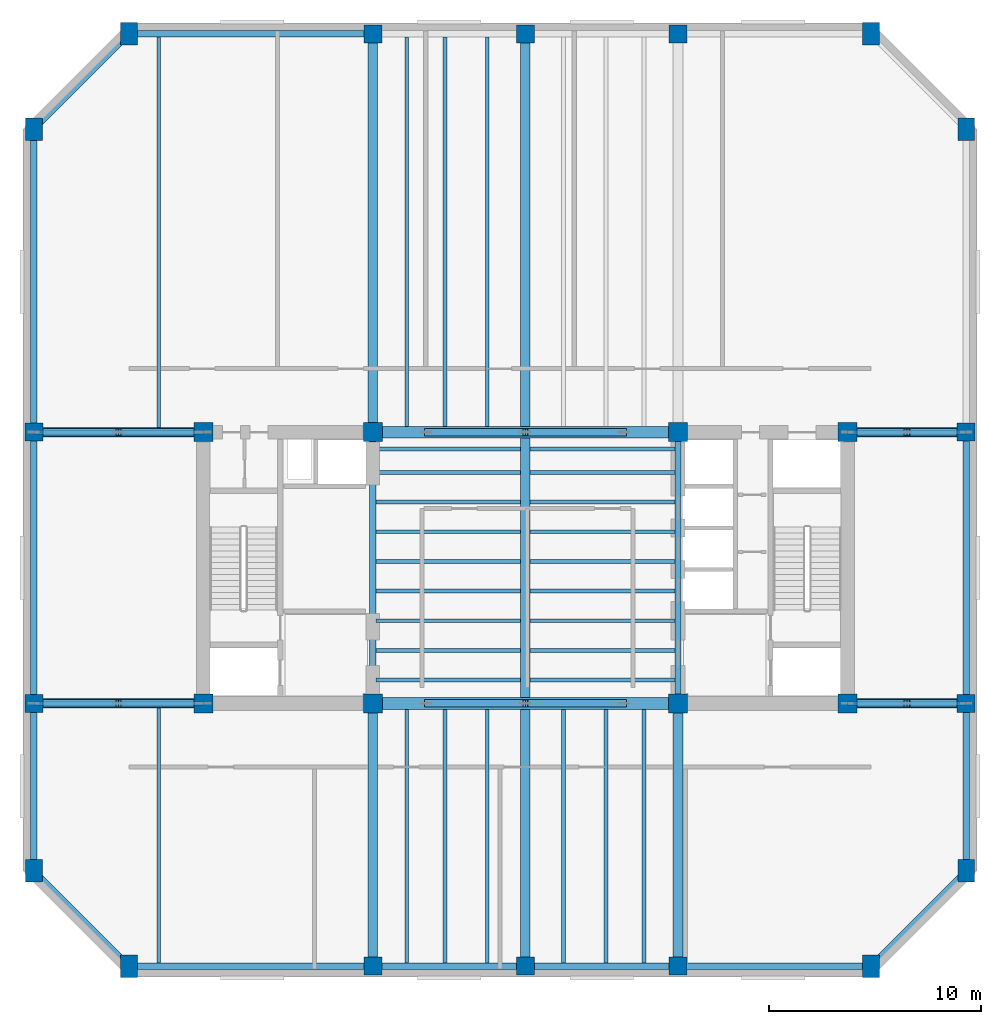
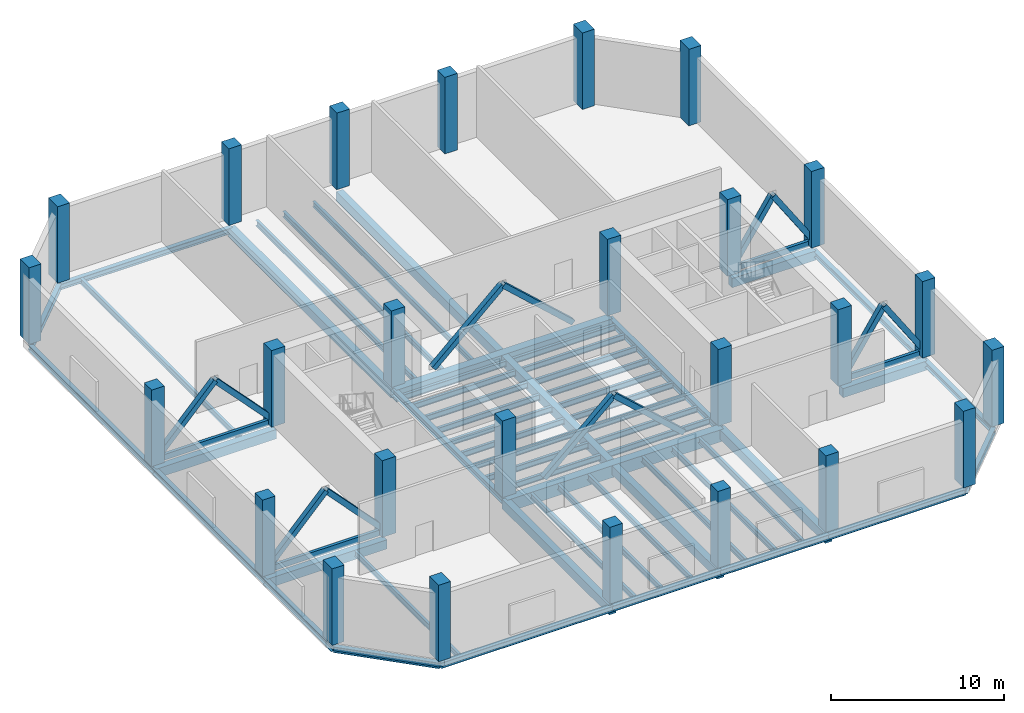
# One storey, part 1 of 9: 56 beams, 26 columns, 16 members.
"""IFC4 building model written with IfcOpenShell, lengths in metres."""

from ifc_helpers import new_model, si_unit, direction, frame, origin, origin_2d, place, context, subcontext, project, spatial, rectangle, hollow_rectangle, i_section, extrude, material, material_profile, profile_set, type_object, element, save


model = new_model("IFC4")

# Units and contexts
model_context = context("Model", 3, precision=1e-05, world=origin(), true_north=direction((0.0, 1.0)))
body_context = subcontext(model_context, "Body", "Model", "MODEL_VIEW")
ifc_project = project(units=[si_unit("LENGTHUNIT", "METRE"), si_unit("AREAUNIT", "SQUARE_METRE"), si_unit("VOLUMEUNIT", "CUBIC_METRE"), si_unit("PLANEANGLEUNIT", "RADIAN"), si_unit("MASSUNIT", "GRAM", prefix="KILO")], contexts=[model_context])

# Site, building, storey
site_placement = place(None, origin())
site = spatial("IfcSite", under=ifc_project, at=site_placement, CompositionType="ELEMENT")
building_placement = place(site_placement, origin())
building = spatial("IfcBuilding", under=site, at=building_placement, Name="Kranthara Brick Stack", CompositionType="ELEMENT")
storey_placement = place(building_placement, frame((0.0, 0.0, 197.300048828125)))
storey = spatial("IfcBuildingStorey", under=building, at=storey_placement, Name="L51", CompositionType="ELEMENT", Elevation=197.300048828125)

# Columns
ifc_material_1 = material(Name="Concrete C60/75", Category="concrete")
ifc_material_profile_1 = material_profile(ifc_material_1, rectangle(XDim=0.800048828125, YDim=1.050048828125, at=origin_2d()), Name="RC 800x1050")
ifc_profile_set_1 = profile_set([ifc_material_profile_1], Name="Concrete C60/75")
column_type_1 = type_object("IfcColumnType", Name="COL-CHAM-800x1050", PredefinedType="COLUMN", material=ifc_profile_set_1)
for number, where, z_axis, x_axis, name in (
    (1, (9.300048828125, 8.39990234375, 0.0), (0.0, 0.0, 1.0), (1.0, 0.0, 0.0), "L51 Column 09"),
    (2, (9.300048828125, 52.39990234375, 0.0), (0.0, 0.0, 1.0), (1.0, 0.0, 0.0), "L51 Column 10"),
    (3, (44.300048828125, 8.39990234375, 0.0), (0.0, 0.0, 1.0), (1.0, 0.0, 0.0), "L51 Column 17"),
    (4, (44.300048828125, 52.39990234375, 0.0), (0.0, 0.0, 1.0), (1.0, 0.0, 0.0), "L51 Column 18"),
    (5, (4.800048828125, 12.89990234375, 0.0), (0.0, 0.0, 1.0), (1.0, 0.0, 0.0), "L51 Column 19"),
    (6, (48.800048828125, 12.89990234375, 0.0), (0.0, 0.0, 1.0), (1.0, 0.0, 0.0), "L51 Column 20"),
    (7, (4.800048828125, 47.89990234375, 0.0), (0.0, 0.0, 1.0), (1.0, 0.0, 0.0), "L51 Column 25"),
    (8, (48.800048828125, 47.89990234375, 0.0), (0.0, 0.0, 1.0), (1.0, 0.0, 0.0), "L51 Column 26"),
):
    element("IfcColumn", number, at=place(storey_placement, frame(where, z_axis=z_axis, x_axis=x_axis)), inside=storey, type_object=column_type_1, Name=name, PredefinedType="COLUMN", context=body_context, shape_type="SweptSolid", body=[
        extrude(rectangle(XDim=0.800048828125, YDim=1.050048828125, at=origin_2d()), origin(), (0.0, 0.0, 1.0), 5.39990234375),
    ])
ifc_material_2 = material(Name="Concrete C60/75", Category="concrete")
ifc_material_profile_2 = material_profile(ifc_material_2, rectangle(XDim=0.89990234375, YDim=0.89990234375, at=origin_2d()), Name="RC 900x900")
ifc_profile_set_2 = profile_set([ifc_material_profile_2], Name="Concrete C60/75")
column_type_2 = type_object("IfcColumnType", Name="COL-CORE-900", PredefinedType="COLUMN", material=ifc_profile_set_2)
for number, where, z_axis, x_axis, name in (
    (9, (12.800048828125, 20.800048828125, 0.0), (0.0, 0.0, 1.0), (1.0, 0.0, 0.0), "L51 Column 01"),
    (10, (20.800048828125, 20.800048828125, 0.0), (0.0, 0.0, 1.0), (1.0, 0.0, 0.0), "L51 Column 02"),
    (11, (12.800048828125, 33.60009765625, 0.0), (0.0, 0.0, 1.0), (1.0, 0.0, 0.0), "L51 Column 03"),
    (12, (20.800048828125, 33.60009765625, 0.0), (0.0, 0.0, 1.0), (1.0, 0.0, 0.0), "L51 Column 04"),
    (13, (35.199951171875, 20.800048828125, 0.0), (0.0, 0.0, 1.0), (1.0, 0.0, 0.0), "L51 Column 05"),
    (14, (43.199951171875, 20.800048828125, 0.0), (0.0, 0.0, 1.0), (1.0, 0.0, 0.0), "L51 Column 06"),
    (15, (35.199951171875, 33.60009765625, 0.0), (0.0, 0.0, 1.0), (1.0, 0.0, 0.0), "L51 Column 07"),
    (16, (43.199951171875, 33.60009765625, 0.0), (0.0, 0.0, 1.0), (1.0, 0.0, 0.0), "L51 Column 08"),
):
    element("IfcColumn", number, at=place(storey_placement, frame(where, z_axis=z_axis, x_axis=x_axis)), inside=storey, type_object=column_type_2, Name=name, PredefinedType="COLUMN", context=body_context, shape_type="SweptSolid", body=[
        extrude(rectangle(XDim=0.89990234375, YDim=0.89990234375, at=origin_2d()), origin(), (0.0, 0.0, 1.0), 5.39990234375),
    ])
ifc_material_3 = material(Name="Concrete C50/60", Category="concrete")
ifc_material_profile_3 = material_profile(ifc_material_3, rectangle(XDim=0.85009765625, YDim=0.85009765625, at=origin_2d()), Name="RC 850x850")
ifc_profile_set_3 = profile_set([ifc_material_profile_3], Name="Concrete C50/60")
column_type_3 = type_object("IfcColumnType", Name="COL-PER-850", PredefinedType="COLUMN", material=ifc_profile_set_3)
for number, where, z_axis, x_axis, name in (
    (17, (20.800048828125, 8.39990234375, 0.0), (0.0, 0.0, 1.0), (1.0, 0.0, 0.0), "L51 Column 11"),
    (18, (20.800048828125, 52.39990234375, 0.0), (0.0, 0.0, 1.0), (1.0, 0.0, 0.0), "L51 Column 12"),
    (19, (28.0, 8.39990234375, 0.0), (0.0, 0.0, 1.0), (1.0, 0.0, 0.0), "L51 Column 13"),
    (20, (28.0, 52.39990234375, 0.0), (0.0, 0.0, 1.0), (1.0, 0.0, 0.0), "L51 Column 14"),
    (21, (35.199951171875, 8.39990234375, 0.0), (0.0, 0.0, 1.0), (1.0, 0.0, 0.0), "L51 Column 15"),
    (22, (35.199951171875, 52.39990234375, 0.0), (0.0, 0.0, 1.0), (1.0, 0.0, 0.0), "L51 Column 16"),
    (23, (4.800048828125, 20.800048828125, 0.0), (0.0, 0.0, 1.0), (1.0, 0.0, 0.0), "L51 Column 21"),
    (24, (48.800048828125, 20.800048828125, 0.0), (0.0, 0.0, 1.0), (1.0, 0.0, 0.0), "L51 Column 22"),
    (25, (4.800048828125, 33.60009765625, 0.0), (0.0, 0.0, 1.0), (1.0, 0.0, 0.0), "L51 Column 23"),
    (26, (48.800048828125, 33.60009765625, 0.0), (0.0, 0.0, 1.0), (1.0, 0.0, 0.0), "L51 Column 24"),
):
    element("IfcColumn", number, at=place(storey_placement, frame(where, z_axis=z_axis, x_axis=x_axis)), inside=storey, type_object=column_type_3, Name=name, PredefinedType="COLUMN", context=body_context, shape_type="SweptSolid", body=[
        extrude(rectangle(XDim=0.85009765625, YDim=0.85009765625, at=origin_2d()), origin(), (0.0, 0.0, 1.0), 5.39990234375),
    ])

# Beams
ifc_material_4 = material(Name="Concrete C50/60", Category="concrete")
ifc_material_profile_4 = material_profile(ifc_material_4, rectangle(XDim=0.550048828125, YDim=0.85009765625, at=origin_2d()), Name="RC 550x850")
ifc_profile_set_4 = profile_set([ifc_material_profile_4], Name="Concrete C50/60")
beam_type_1 = type_object("IfcBeamType", Name="BM-CPL-RC850", PredefinedType="LINTEL", material=ifc_profile_set_4)
for number, where, z_axis, x_axis, name in (
    (27, (20.800048828125, 20.800048828125, -0.875), (1.0, 0.0, 0.0), (0.0, 1.0, 0.0), "L51 Core Coupling Beam 001"),
    (28, (20.800048828125, 33.60009765625, -0.875), (1.0, 0.0, 0.0), (0.0, 1.0, 0.0), "L51 Core Coupling Beam 002"),
):
    element("IfcBeam", number, at=place(storey_placement, frame(where, z_axis=z_axis, x_axis=x_axis)), inside=storey, type_object=beam_type_1, Name=name, PredefinedType="LINTEL", context=body_context, shape_type="SweptSolid", body=[
        extrude(rectangle(XDim=0.550048828125, YDim=0.85009765625, at=origin_2d()), origin(), (0.0, 0.0, 1.0), 14.39990234375),
    ])
ifc_material_5 = material(Name="Post-tensioned concrete C45/55", Category="concrete")
ifc_material_profile_5 = material_profile(ifc_material_5, rectangle(XDim=0.449951171875, YDim=0.64990234375, at=origin_2d()), Name="PT 450x650")
ifc_profile_set_5 = profile_set([ifc_material_profile_5], Name="Post-tensioned concrete C45/55")
beam_type_2 = type_object("IfcBeamType", Name="BM-FLR-PT650", PredefinedType="BEAM", material=ifc_profile_set_5)
beam_1_placement = place(storey_placement, frame((20.800048828125, 8.39990234375, -0.775146484375), z_axis=(0.0, 1.0, 0.0), x_axis=(-1.0, 0.0, 0.0)))
element("IfcBeam", 29, at=beam_1_placement, inside=storey, type_object=beam_type_2, Name="L51 Primary Grid Girder 023", PredefinedType="BEAM", context=body_context, shape_type="SweptSolid", body=[
    extrude(rectangle(XDim=0.449951171875, YDim=0.64990234375, at=origin_2d()), origin(), (0.0, 0.0, 1.0), 12.400146484375),
])
beam_2_placement = place(storey_placement, frame((20.800048828125, 33.60009765625, -0.775146484375), z_axis=(0.0, 1.0, 0.0), x_axis=(-1.0, 0.0, 0.0)))
element("IfcBeam", 30, at=beam_2_placement, inside=storey, type_object=beam_type_2, Name="L51 Primary Grid Girder 024", PredefinedType="BEAM", context=body_context, shape_type="SweptSolid", body=[
    extrude(rectangle(XDim=0.449951171875, YDim=0.64990234375, at=origin_2d()), origin(), (0.0, 0.0, 1.0), 18.7998046875),
])
beam_3_placement = place(storey_placement, frame((28.0, 8.39990234375, -0.775146484375), z_axis=(0.0, 1.0, 0.0), x_axis=(-1.0, 0.0, 0.0)))
element("IfcBeam", 31, at=beam_3_placement, inside=storey, type_object=beam_type_2, Name="L51 Primary Grid Girder 025", PredefinedType="BEAM", context=body_context, shape_type="SweptSolid", body=[
    extrude(rectangle(XDim=0.449951171875, YDim=0.64990234375, at=origin_2d()), origin(), (0.0, 0.0, 1.0), 12.125),
])
beam_4_placement = place(storey_placement, frame((28.0, 21.074951171875, -0.775146484375), z_axis=(0.0, 1.0, 0.0), x_axis=(-1.0, 0.0, 0.0)))
element("IfcBeam", 32, at=beam_4_placement, inside=storey, type_object=beam_type_2, Name="L51 Central Spine Girder 026", PredefinedType="BEAM", context=body_context, shape_type="SweptSolid", body=[
    extrude(rectangle(XDim=0.449951171875, YDim=0.64990234375, at=origin_2d()), origin(), (0.0, 0.0, 1.0), 12.25),
])
beam_5_placement = place(storey_placement, frame((28.0, 33.875, -0.775146484375), z_axis=(0.0, 1.0, 0.0), x_axis=(-1.0, 0.0, 0.0)))
element("IfcBeam", 33, at=beam_5_placement, inside=storey, type_object=beam_type_2, Name="L51 Primary Grid Girder 027", PredefinedType="BEAM", context=body_context, shape_type="SweptSolid", body=[
    extrude(rectangle(XDim=0.449951171875, YDim=0.64990234375, at=origin_2d()), origin(), (0.0, 0.0, 1.0), 18.52490234375),
])
beam_6_placement = place(storey_placement, frame((35.199951171875, 8.39990234375, -0.775146484375), z_axis=(0.0, 1.0, 0.0), x_axis=(-1.0, 0.0, 0.0)))
element("IfcBeam", 34, at=beam_6_placement, inside=storey, type_object=beam_type_2, Name="L51 Primary Grid Girder 028", PredefinedType="BEAM", context=body_context, shape_type="SweptSolid", body=[
    extrude(rectangle(XDim=0.449951171875, YDim=0.64990234375, at=origin_2d()), origin(), (0.0, 0.0, 1.0), 12.400146484375),
])
beam_7_placement = place(storey_placement, frame((4.800048828125, 20.800048828125, -0.775146484375), z_axis=(1.0, 0.0, 0.0), x_axis=(0.0, 1.0, 0.0)))
element("IfcBeam", 35, at=beam_7_placement, inside=storey, type_object=beam_type_2, Name="L51 Primary Grid Girder 030", PredefinedType="BEAM", context=body_context, shape_type="SweptSolid", body=[
    extrude(rectangle(XDim=0.449951171875, YDim=0.64990234375, at=origin_2d()), origin(), (0.0, 0.0, 1.0), 8.0),
])
beam_8_placement = place(storey_placement, frame((43.199951171875, 20.800048828125, -0.775146484375), z_axis=(1.0, 0.0, 0.0), x_axis=(0.0, 1.0, 0.0)))
element("IfcBeam", 36, at=beam_8_placement, inside=storey, type_object=beam_type_2, Name="L51 Primary Grid Girder 031", PredefinedType="BEAM", context=body_context, shape_type="SweptSolid", body=[
    extrude(rectangle(XDim=0.449951171875, YDim=0.64990234375, at=origin_2d()), origin(), (0.0, 0.0, 1.0), 5.60009765625),
])
beam_9_placement = place(storey_placement, frame((4.800048828125, 33.60009765625, -0.775146484375), z_axis=(1.0, 0.0, 0.0), x_axis=(0.0, 1.0, 0.0)))
element("IfcBeam", 37, at=beam_9_placement, inside=storey, type_object=beam_type_2, Name="L51 Primary Grid Girder 032", PredefinedType="BEAM", context=body_context, shape_type="SweptSolid", body=[
    extrude(rectangle(XDim=0.449951171875, YDim=0.64990234375, at=origin_2d()), origin(), (0.0, 0.0, 1.0), 8.0),
])
beam_10_placement = place(storey_placement, frame((43.199951171875, 33.60009765625, -0.775146484375), z_axis=(1.0, 0.0, 0.0), x_axis=(0.0, 1.0, 0.0)))
element("IfcBeam", 38, at=beam_10_placement, inside=storey, type_object=beam_type_2, Name="L51 Primary Grid Girder 033", PredefinedType="BEAM", context=body_context, shape_type="SweptSolid", body=[
    extrude(rectangle(XDim=0.449951171875, YDim=0.64990234375, at=origin_2d()), origin(), (0.0, 0.0, 1.0), 5.60009765625),
])
ifc_material_6 = material(Name="Steel S355", Category="steel")
ifc_material_profile_6 = material_profile(ifc_material_6, i_section(OverallWidth=0.179931640625, OverallDepth=0.39990234375, WebThickness=0.008544921875, FlangeThickness=0.013427734375, at=origin_2d()), Name="IPE 400")
ifc_profile_set_6 = profile_set([ifc_material_profile_6], Name="Steel S355")
beam_type_3 = type_object("IfcBeamType", Name="BM-JST-IPE400", PredefinedType="JOIST", material=ifc_profile_set_6)
for number, where, z_axis, x_axis, name in (
    (39, (20.949951171875, 21.89990234375, -0.650146484375), (1.0, 0.0, 0.0), (0.0, 1.0, 0.0), "L51 Central Floor Joist 034"),
    (40, (28.22509765625, 21.89990234375, -0.650146484375), (1.0, 0.0, 0.0), (0.0, 1.0, 0.0), "L51 Central Floor Joist 035"),
    (41, (20.949951171875, 23.300048828125, -0.650146484375), (1.0, 0.0, 0.0), (0.0, 1.0, 0.0), "L51 Central Floor Joist 036"),
    (42, (28.22509765625, 23.300048828125, -0.650146484375), (1.0, 0.0, 0.0), (0.0, 1.0, 0.0), "L51 Central Floor Joist 037"),
    (43, (20.949951171875, 24.699951171875, -0.650146484375), (1.0, 0.0, 0.0), (0.0, 1.0, 0.0), "L51 Central Floor Joist 038"),
    (44, (28.22509765625, 24.699951171875, -0.650146484375), (1.0, 0.0, 0.0), (0.0, 1.0, 0.0), "L51 Central Floor Joist 039"),
    (45, (20.949951171875, 26.10009765625, -0.650146484375), (1.0, 0.0, 0.0), (0.0, 1.0, 0.0), "L51 Central Floor Joist 040"),
    (46, (28.22509765625, 26.10009765625, -0.650146484375), (1.0, 0.0, 0.0), (0.0, 1.0, 0.0), "L51 Central Floor Joist 041"),
    (47, (20.949951171875, 27.5, -0.650146484375), (1.0, 0.0, 0.0), (0.0, 1.0, 0.0), "L51 Central Floor Joist 042"),
    (48, (28.22509765625, 27.5, -0.650146484375), (1.0, 0.0, 0.0), (0.0, 1.0, 0.0), "L51 Central Floor Joist 043"),
    (49, (20.949951171875, 28.89990234375, -0.650146484375), (1.0, 0.0, 0.0), (0.0, 1.0, 0.0), "L51 Central Floor Joist 044"),
    (50, (28.22509765625, 28.89990234375, -0.650146484375), (1.0, 0.0, 0.0), (0.0, 1.0, 0.0), "L51 Central Floor Joist 045"),
    (51, (20.949951171875, 30.300048828125, -0.650146484375), (1.0, 0.0, 0.0), (0.0, 1.0, 0.0), "L51 Central Floor Joist 046"),
    (52, (28.22509765625, 30.300048828125, -0.650146484375), (1.0, 0.0, 0.0), (0.0, 1.0, 0.0), "L51 Central Floor Joist 047"),
    (53, (20.949951171875, 31.699951171875, -0.650146484375), (1.0, 0.0, 0.0), (0.0, 1.0, 0.0), "L51 Central Floor Joist 048"),
    (54, (28.22509765625, 31.699951171875, -0.650146484375), (1.0, 0.0, 0.0), (0.0, 1.0, 0.0), "L51 Central Floor Joist 049"),
    (55, (20.949951171875, 32.800048828125, -0.650146484375), (1.0, 0.0, 0.0), (0.0, 1.0, 0.0), "L51 Central Floor Joist 050"),
    (56, (28.22509765625, 32.800048828125, -0.650146484375), (1.0, 0.0, 0.0), (0.0, 1.0, 0.0), "L51 Central Floor Joist 051"),
):
    element("IfcBeam", number, at=place(storey_placement, frame(where, z_axis=z_axis, x_axis=x_axis)), inside=storey, type_object=beam_type_3, Name=name, PredefinedType="JOIST", context=body_context, shape_type="SweptSolid", body=[
        extrude(i_section(OverallWidth=0.179931640625, OverallDepth=0.39990234375, WebThickness=0.008544921875, FlangeThickness=0.013427734375, at=origin_2d()), origin(), (0.0, 0.0, 1.0), 6.824951171875),
    ])
beam_11_placement = place(storey_placement, frame((10.699951171875, 8.550048828125, -0.650146484375), z_axis=(0.0, 1.0, 0.0), x_axis=(-1.0, 0.0, 0.0)))
element("IfcBeam", 57, at=beam_11_placement, inside=storey, type_object=beam_type_3, Name="L51 South Wing Floor Joist 052", PredefinedType="JOIST", context=body_context, shape_type="SweptSolid", body=[
    extrude(i_section(OverallWidth=0.179931640625, OverallDepth=0.39990234375, WebThickness=0.008544921875, FlangeThickness=0.013427734375, at=origin_2d()), origin(), (0.0, 0.0, 1.0), 12.02490234375),
])
beam_12_placement = place(storey_placement, frame((10.699951171875, 33.824951171875, -0.650146484375), z_axis=(0.0, 1.0, 0.0), x_axis=(-1.0, 0.0, 0.0)))
element("IfcBeam", 58, at=beam_12_placement, inside=storey, type_object=beam_type_3, Name="L51 North Wing Floor Joist 053", PredefinedType="JOIST", context=body_context, shape_type="SweptSolid", body=[
    extrude(i_section(OverallWidth=0.179931640625, OverallDepth=0.39990234375, WebThickness=0.008544921875, FlangeThickness=0.013427734375, at=origin_2d()), origin(), (0.0, 0.0, 1.0), 18.425048828125),
])
beam_13_placement = place(storey_placement, frame((22.39990234375, 8.550048828125, -0.650146484375), z_axis=(0.0, 1.0, 0.0), x_axis=(-1.0, 0.0, 0.0)))
element("IfcBeam", 59, at=beam_13_placement, inside=storey, type_object=beam_type_3, Name="L51 South Wing Floor Joist 054", PredefinedType="JOIST", context=body_context, shape_type="SweptSolid", body=[
    extrude(i_section(OverallWidth=0.179931640625, OverallDepth=0.39990234375, WebThickness=0.008544921875, FlangeThickness=0.013427734375, at=origin_2d()), origin(), (0.0, 0.0, 1.0), 11.974853515625),
])
beam_14_placement = place(storey_placement, frame((22.39990234375, 33.875, -0.650146484375), z_axis=(0.0, 1.0, 0.0), x_axis=(-1.0, 0.0, 0.0)))
element("IfcBeam", 60, at=beam_14_placement, inside=storey, type_object=beam_type_3, Name="L51 North Wing Floor Joist 055", PredefinedType="JOIST", context=body_context, shape_type="SweptSolid", body=[
    extrude(i_section(OverallWidth=0.179931640625, OverallDepth=0.39990234375, WebThickness=0.008544921875, FlangeThickness=0.013427734375, at=origin_2d()), origin(), (0.0, 0.0, 1.0), 18.375),
])
beam_15_placement = place(storey_placement, frame((24.199951171875, 8.550048828125, -0.650146484375), z_axis=(0.0, 1.0, 0.0), x_axis=(-1.0, 0.0, 0.0)))
element("IfcBeam", 61, at=beam_15_placement, inside=storey, type_object=beam_type_3, Name="L51 South Wing Floor Joist 056", PredefinedType="JOIST", context=body_context, shape_type="SweptSolid", body=[
    extrude(i_section(OverallWidth=0.179931640625, OverallDepth=0.39990234375, WebThickness=0.008544921875, FlangeThickness=0.013427734375, at=origin_2d()), origin(), (0.0, 0.0, 1.0), 11.974853515625),
])
beam_16_placement = place(storey_placement, frame((24.199951171875, 33.875, -0.650146484375), z_axis=(0.0, 1.0, 0.0), x_axis=(-1.0, 0.0, 0.0)))
element("IfcBeam", 62, at=beam_16_placement, inside=storey, type_object=beam_type_3, Name="L51 North Wing Floor Joist 057", PredefinedType="JOIST", context=body_context, shape_type="SweptSolid", body=[
    extrude(i_section(OverallWidth=0.179931640625, OverallDepth=0.39990234375, WebThickness=0.008544921875, FlangeThickness=0.013427734375, at=origin_2d()), origin(), (0.0, 0.0, 1.0), 18.375),
])
beam_17_placement = place(storey_placement, frame((26.199951171875, 8.550048828125, -0.650146484375), z_axis=(0.0, 1.0, 0.0), x_axis=(-1.0, 0.0, 0.0)))
element("IfcBeam", 63, at=beam_17_placement, inside=storey, type_object=beam_type_3, Name="L51 South Wing Floor Joist 058", PredefinedType="JOIST", context=body_context, shape_type="SweptSolid", body=[
    extrude(i_section(OverallWidth=0.179931640625, OverallDepth=0.39990234375, WebThickness=0.008544921875, FlangeThickness=0.013427734375, at=origin_2d()), origin(), (0.0, 0.0, 1.0), 11.974853515625),
])
beam_18_placement = place(storey_placement, frame((26.199951171875, 33.875, -0.650146484375), z_axis=(0.0, 1.0, 0.0), x_axis=(-1.0, 0.0, 0.0)))
element("IfcBeam", 64, at=beam_18_placement, inside=storey, type_object=beam_type_3, Name="L51 North Wing Floor Joist 059", PredefinedType="JOIST", context=body_context, shape_type="SweptSolid", body=[
    extrude(i_section(OverallWidth=0.179931640625, OverallDepth=0.39990234375, WebThickness=0.008544921875, FlangeThickness=0.013427734375, at=origin_2d()), origin(), (0.0, 0.0, 1.0), 18.375),
])
for number, where, z_axis, x_axis, name in (
    (65, (29.800048828125, 8.550048828125, -0.650146484375), (0.0, 1.0, 0.0), (-1.0, 0.0, 0.0), "L51 South Wing Floor Joist 060"),
    (66, (31.800048828125, 8.550048828125, -0.650146484375), (0.0, 1.0, 0.0), (-1.0, 0.0, 0.0), "L51 South Wing Floor Joist 062"),
    (67, (33.60009765625, 8.550048828125, -0.650146484375), (0.0, 1.0, 0.0), (-1.0, 0.0, 0.0), "L51 South Wing Floor Joist 064"),
):
    element("IfcBeam", number, at=place(storey_placement, frame(where, z_axis=z_axis, x_axis=x_axis)), inside=storey, type_object=beam_type_3, Name=name, PredefinedType="JOIST", context=body_context, shape_type="SweptSolid", body=[
        extrude(i_section(OverallWidth=0.179931640625, OverallDepth=0.39990234375, WebThickness=0.008544921875, FlangeThickness=0.013427734375, at=origin_2d()), origin(), (0.0, 0.0, 1.0), 11.974853515625),
    ])
ifc_material_7 = material(Name="Steel S355", Category="steel")
ifc_material_profile_7 = material_profile(ifc_material_7, i_section(OverallWidth=0.300048828125, OverallDepth=0.39990234375, WebThickness=0.013427734375, FlangeThickness=0.02392578125, at=origin_2d()), Name="HEB 400")
ifc_profile_set_7 = profile_set([ifc_material_profile_7], Name="Steel S355")
beam_type_4 = type_object("IfcBeamType", Name="BM-STL-HEB400", PredefinedType="SPANDREL", material=ifc_profile_set_7)
beam_19_placement = place(storey_placement, frame((9.300048828125, 8.39990234375, -0.650146484375), z_axis=(1.0, 0.0, 0.0), x_axis=(0.0, 1.0, 0.0)))
element("IfcBeam", 68, at=beam_19_placement, inside=storey, type_object=beam_type_4, Name="L51 Perimeter Spandrel Beam 005", PredefinedType="SPANDREL", context=body_context, shape_type="SweptSolid", body=[
    extrude(i_section(OverallWidth=0.300048828125, OverallDepth=0.39990234375, WebThickness=0.013427734375, FlangeThickness=0.02392578125, at=origin_2d()), origin(), (0.0, 0.0, 1.0), 11.5),
])
for number, where, z_axis, x_axis, name in (
    (69, (20.800048828125, 8.39990234375, -0.650146484375), (1.0, 0.0, 0.0), (0.0, 1.0, 0.0), "L51 Perimeter Spandrel Beam 006"),
    (70, (28.0, 8.39990234375, -0.650146484375), (1.0, 0.0, 0.0), (0.0, 1.0, 0.0), "L51 Perimeter Spandrel Beam 007"),
):
    element("IfcBeam", number, at=place(storey_placement, frame(where, z_axis=z_axis, x_axis=x_axis)), inside=storey, type_object=beam_type_4, Name=name, PredefinedType="SPANDREL", context=body_context, shape_type="SweptSolid", body=[
        extrude(i_section(OverallWidth=0.300048828125, OverallDepth=0.39990234375, WebThickness=0.013427734375, FlangeThickness=0.02392578125, at=origin_2d()), origin(), (0.0, 0.0, 1.0), 7.199951171875),
    ])
beam_20_placement = place(storey_placement, frame((35.199951171875, 8.39990234375, -0.650146484375), z_axis=(1.0, 0.0, 0.0), x_axis=(0.0, 1.0, 0.0)))
element("IfcBeam", 71, at=beam_20_placement, inside=storey, type_object=beam_type_4, Name="L51 Perimeter Spandrel Beam 008", PredefinedType="SPANDREL", context=body_context, shape_type="SweptSolid", body=[
    extrude(i_section(OverallWidth=0.300048828125, OverallDepth=0.39990234375, WebThickness=0.013427734375, FlangeThickness=0.02392578125, at=origin_2d()), origin(), (0.0, 0.0, 1.0), 9.10009765625),
])
beam_21_placement = place(storey_placement, frame((9.300048828125, 52.39990234375, -0.650146484375), z_axis=(1.0, 0.0, 0.0), x_axis=(0.0, 1.0, 0.0)))
element("IfcBeam", 72, at=beam_21_placement, inside=storey, type_object=beam_type_4, Name="L51 Perimeter Spandrel Beam 009", PredefinedType="SPANDREL", context=body_context, shape_type="SweptSolid", body=[
    extrude(i_section(OverallWidth=0.300048828125, OverallDepth=0.39990234375, WebThickness=0.013427734375, FlangeThickness=0.02392578125, at=origin_2d()), origin(), (0.0, 0.0, 1.0), 11.5),
])
beam_22_placement = place(storey_placement, frame((4.800048828125, 12.89990234375, -0.650146484375), z_axis=(0.0, 1.0, 0.0), x_axis=(-1.0, 0.0, 0.0)))
element("IfcBeam", 73, at=beam_22_placement, inside=storey, type_object=beam_type_4, Name="L51 Perimeter Spandrel Beam 013", PredefinedType="SPANDREL", context=body_context, shape_type="SweptSolid", body=[
    extrude(i_section(OverallWidth=0.300048828125, OverallDepth=0.39990234375, WebThickness=0.013427734375, FlangeThickness=0.02392578125, at=origin_2d()), origin(), (0.0, 0.0, 1.0), 7.900146484375),
])
beam_23_placement = place(storey_placement, frame((4.800048828125, 20.800048828125, -0.650146484375), z_axis=(0.0, 1.0, 0.0), x_axis=(-1.0, 0.0, 0.0)))
element("IfcBeam", 74, at=beam_23_placement, inside=storey, type_object=beam_type_4, Name="L51 Perimeter Spandrel Beam 014", PredefinedType="SPANDREL", context=body_context, shape_type="SweptSolid", body=[
    extrude(i_section(OverallWidth=0.300048828125, OverallDepth=0.39990234375, WebThickness=0.013427734375, FlangeThickness=0.02392578125, at=origin_2d()), origin(), (0.0, 0.0, 1.0), 12.800048828125),
])
beam_24_placement = place(storey_placement, frame((4.800048828125, 33.60009765625, -0.650146484375), z_axis=(0.0, 1.0, 0.0), x_axis=(-1.0, 0.0, 0.0)))
element("IfcBeam", 75, at=beam_24_placement, inside=storey, type_object=beam_type_4, Name="L51 Perimeter Spandrel Beam 015", PredefinedType="SPANDREL", context=body_context, shape_type="SweptSolid", body=[
    extrude(i_section(OverallWidth=0.300048828125, OverallDepth=0.39990234375, WebThickness=0.013427734375, FlangeThickness=0.02392578125, at=origin_2d()), origin(), (0.0, 0.0, 1.0), 14.2998046875),
])
beam_25_placement = place(storey_placement, frame((48.800048828125, 12.89990234375, -0.650146484375), z_axis=(0.0, 1.0, 0.0), x_axis=(-1.0, 0.0, 0.0)))
element("IfcBeam", 76, at=beam_25_placement, inside=storey, type_object=beam_type_4, Name="L51 Perimeter Spandrel Beam 016", PredefinedType="SPANDREL", context=body_context, shape_type="SweptSolid", body=[
    extrude(i_section(OverallWidth=0.300048828125, OverallDepth=0.39990234375, WebThickness=0.013427734375, FlangeThickness=0.02392578125, at=origin_2d()), origin(), (0.0, 0.0, 1.0), 7.900146484375),
])
beam_26_placement = place(storey_placement, frame((48.800048828125, 20.800048828125, -0.650146484375), z_axis=(0.0, 1.0, 0.0), x_axis=(-1.0, 0.0, 0.0)))
element("IfcBeam", 77, at=beam_26_placement, inside=storey, type_object=beam_type_4, Name="L51 Perimeter Spandrel Beam 017", PredefinedType="SPANDREL", context=body_context, shape_type="SweptSolid", body=[
    extrude(i_section(OverallWidth=0.300048828125, OverallDepth=0.39990234375, WebThickness=0.013427734375, FlangeThickness=0.02392578125, at=origin_2d()), origin(), (0.0, 0.0, 1.0), 12.800048828125),
])
for number, where, z_axis, x_axis, name in (
    (78, (9.300048828125, 8.39990234375, -0.650146484375), (-0.707106781187, 0.707106781187, 0.0), (-0.707106781187, -0.707106781187, 0.0), "L51 Chamfer Corner Spandrel 019"),
    (79, (44.300048828125, 8.39990234375, -0.650146484375), (0.707106781187, 0.707106781187, 0.0), (-0.707106781187, 0.707106781187, 0.0), "L51 Chamfer Corner Spandrel 020"),
    (80, (9.300048828125, 52.39990234375, -0.650146484375), (-0.707106781187, -0.707106781187, 0.0), (0.707106781187, -0.707106781187, 0.0), "L51 Chamfer Corner Spandrel 021"),
):
    element("IfcBeam", number, at=place(storey_placement, frame(where, z_axis=z_axis, x_axis=x_axis)), inside=storey, type_object=beam_type_4, Name=name, PredefinedType="SPANDREL", context=body_context, shape_type="SweptSolid", body=[
        extrude(i_section(OverallWidth=0.300048828125, OverallDepth=0.39990234375, WebThickness=0.013427734375, FlangeThickness=0.02392578125, at=origin_2d()), origin(), (0.0, 0.0, 1.0), 6.364013671875),
    ])
ifc_material_8 = material(Name="Steel S355", Category="steel")
ifc_material_profile_8 = material_profile(ifc_material_8, i_section(OverallWidth=0.300048828125, OverallDepth=0.449951171875, WebThickness=0.013916015625, FlangeThickness=0.02587890625, at=origin_2d()), Name="HEB 450")
ifc_profile_set_8 = profile_set([ifc_material_profile_8], Name="Steel S355")
beam_type_5 = type_object("IfcBeamType", Name="BM-STL-HEB450", PredefinedType="SPANDREL", material=ifc_profile_set_8)
for number, where, z_axis, x_axis, name in (
    (81, (20.800048828125, 20.800048828125, -0.675048828125), (0.0, 1.0, 0.0), (-1.0, 0.0, 0.0), "L51 Core Edge Tie Beam 003"),
    (82, (35.199951171875, 20.800048828125, -0.675048828125), (0.0, 1.0, 0.0), (-1.0, 0.0, 0.0), "L51 Core Edge Tie Beam 004"),
):
    element("IfcBeam", number, at=place(storey_placement, frame(where, z_axis=z_axis, x_axis=x_axis)), inside=storey, type_object=beam_type_5, Name=name, PredefinedType="SPANDREL", context=body_context, shape_type="SweptSolid", body=[
        extrude(i_section(OverallWidth=0.300048828125, OverallDepth=0.449951171875, WebThickness=0.013916015625, FlangeThickness=0.02587890625, at=origin_2d()), origin(), (0.0, 0.0, 1.0), 12.800048828125),
    ])

# Members
ifc_material_9 = material(Name="Steel S355", Category="steel")
ifc_material_profile_9 = material_profile(ifc_material_9, hollow_rectangle(XDim=0.35009765625, YDim=0.35009765625, WallThickness=0.01611328125, at=origin_2d()), Name="SHS 350x350x16")
ifc_profile_set_9 = profile_set([ifc_material_profile_9], Name="Steel S355")
member_type_1 = type_object("IfcMemberType", Name="MB-BRC-SHS350", PredefinedType="BRACE", material=ifc_profile_set_9)
for number, where, z_axis, x_axis, name in (
    (83, (12.800048828125, 20.800048828125, 0.099853515625), (-0.686221263148, 0.0, 0.727392863592), (0.0, -1.0, 0.0), "L51 Outrigger Truss Diagonal 01"),
    (84, (12.800048828125, 33.60009765625, 0.099853515625), (-0.686221263148, 0.0, 0.727392863592), (0.0, -1.0, 0.0), "L51 Outrigger Truss Diagonal 02"),
):
    element("IfcMember", number, at=place(storey_placement, frame(where, z_axis=z_axis, x_axis=x_axis)), inside=storey, type_object=member_type_1, Name=name, PredefinedType="BRACE", context=body_context, shape_type="SweptSolid", body=[
        extrude(hollow_rectangle(XDim=0.35009765625, YDim=0.35009765625, WallThickness=0.01611328125, at=origin_2d()), origin(), (0.0, 0.0, 1.0), 5.8291015625),
    ])
for number, where, z_axis, x_axis, name in (
    (85, (43.199951171875, 20.800048828125, 0.099853515625), (0.551069110052, 0.0, 0.834459607139), (0.0, 1.0, 0.0), "L51 Outrigger Truss Diagonal 03"),
    (86, (43.199951171875, 33.60009765625, 0.099853515625), (0.551069110052, 0.0, 0.834459607139), (0.0, 1.0, 0.0), "L51 Outrigger Truss Diagonal 04"),
):
    element("IfcMember", number, at=place(storey_placement, frame(where, z_axis=z_axis, x_axis=x_axis)), inside=storey, type_object=member_type_1, Name=name, PredefinedType="BRACE", context=body_context, shape_type="SweptSolid", body=[
        extrude(hollow_rectangle(XDim=0.35009765625, YDim=0.35009765625, WallThickness=0.01611328125, at=origin_2d()), origin(), (0.0, 0.0, 1.0), 5.0810546875),
    ])
for number, where, z_axis, x_axis, name in (
    (87, (8.800048828125, 20.800048828125, 4.33984375), (-0.686221263148, 0.0, -0.727392863592), (0.0, -1.0, 0.0), "L51 Outrigger Truss Diagonal 05"),
    (88, (8.800048828125, 33.60009765625, 4.33984375), (-0.686221263148, 0.0, -0.727392863592), (0.0, -1.0, 0.0), "L51 Outrigger Truss Diagonal 06"),
):
    element("IfcMember", number, at=place(storey_placement, frame(where, z_axis=z_axis, x_axis=x_axis)), inside=storey, type_object=member_type_1, Name=name, PredefinedType="BRACE", context=body_context, shape_type="SweptSolid", body=[
        extrude(hollow_rectangle(XDim=0.35009765625, YDim=0.35009765625, WallThickness=0.01611328125, at=origin_2d()), origin(), (0.0, 0.0, 1.0), 5.8291015625),
    ])
for number, where, z_axis, x_axis, name in (
    (89, (46.0, 20.800048828125, 4.33984375), (0.551069110052, 0.0, -0.834459607139), (0.0, 1.0, 0.0), "L51 Outrigger Truss Diagonal 07"),
    (90, (46.0, 33.60009765625, 4.33984375), (0.551069110052, 0.0, -0.834459607139), (0.0, 1.0, 0.0), "L51 Outrigger Truss Diagonal 08"),
):
    element("IfcMember", number, at=place(storey_placement, frame(where, z_axis=z_axis, x_axis=x_axis)), inside=storey, type_object=member_type_1, Name=name, PredefinedType="BRACE", context=body_context, shape_type="SweptSolid", body=[
        extrude(hollow_rectangle(XDim=0.35009765625, YDim=0.35009765625, WallThickness=0.01611328125, at=origin_2d()), origin(), (0.0, 0.0, 1.0), 5.0810546875),
    ])
for number, where, z_axis, x_axis, name in (
    (91, (23.35009765625, 20.800048828125, 0.099853515625), (0.738926301092, 0.0, 0.673786258063), (0.0, 1.0, 0.0), "L51 Outrigger Truss Diagonal 09"),
    (92, (32.64990234375, 20.800048828125, 0.099853515625), (-0.738926301092, 0.0, 0.673786258063), (0.0, -1.0, 0.0), "L51 Outrigger Truss Diagonal 10"),
    (93, (23.35009765625, 33.60009765625, 0.099853515625), (0.738926301092, 0.0, 0.673786258063), (0.0, 1.0, 0.0), "L51 Outrigger Truss Diagonal 11"),
    (94, (32.64990234375, 33.60009765625, 0.099853515625), (-0.738926301092, 0.0, 0.673786258063), (0.0, -1.0, 0.0), "L51 Outrigger Truss Diagonal 12"),
):
    element("IfcMember", number, at=place(storey_placement, frame(where, z_axis=z_axis, x_axis=x_axis)), inside=storey, type_object=member_type_1, Name=name, PredefinedType="BRACE", context=body_context, shape_type="SweptSolid", body=[
        extrude(hollow_rectangle(XDim=0.35009765625, YDim=0.35009765625, WallThickness=0.01611328125, at=origin_2d()), origin(), (0.0, 0.0, 1.0), 6.292724609375),
    ])
ifc_material_10 = material(Name="Steel S355", Category="steel")
ifc_material_profile_10 = material_profile(ifc_material_10, hollow_rectangle(XDim=0.199951171875, YDim=0.39990234375, WallThickness=0.01611328125, at=origin_2d()), Name="RHS 200x400x16")
ifc_profile_set_10 = profile_set([ifc_material_profile_10], Name="Steel S355")
member_type_2 = type_object("IfcMemberType", Name="MB-CHD-RHS400", PredefinedType="CHORD", material=ifc_profile_set_10)
for number, where, z_axis, x_axis, name in (
    (95, (12.800048828125, 20.800048828125, 0.099853515625), (-1.0, 0.0, 0.0), (0.0, -1.0, 0.0), "L51 Outrigger Bottom Chord 01"),
    (96, (12.800048828125, 33.60009765625, 0.099853515625), (-1.0, 0.0, 0.0), (0.0, -1.0, 0.0), "L51 Outrigger Bottom Chord 02"),
):
    element("IfcMember", number, at=place(storey_placement, frame(where, z_axis=z_axis, x_axis=x_axis)), inside=storey, type_object=member_type_2, Name=name, PredefinedType="CHORD", context=body_context, shape_type="SweptSolid", body=[
        extrude(hollow_rectangle(XDim=0.199951171875, YDim=0.39990234375, WallThickness=0.01611328125, at=origin_2d()), origin(), (0.0, 0.0, 1.0), 8.0),
    ])
for number, where, z_axis, x_axis, name in (
    (97, (43.199951171875, 20.800048828125, 0.099853515625), (1.0, 0.0, 0.0), (0.0, 1.0, 0.0), "L51 Outrigger Bottom Chord 03"),
    (98, (43.199951171875, 33.60009765625, 0.099853515625), (1.0, 0.0, 0.0), (0.0, 1.0, 0.0), "L51 Outrigger Bottom Chord 04"),
):
    element("IfcMember", number, at=place(storey_placement, frame(where, z_axis=z_axis, x_axis=x_axis)), inside=storey, type_object=member_type_2, Name=name, PredefinedType="CHORD", context=body_context, shape_type="SweptSolid", body=[
        extrude(hollow_rectangle(XDim=0.199951171875, YDim=0.39990234375, WallThickness=0.01611328125, at=origin_2d()), origin(), (0.0, 0.0, 1.0), 5.60009765625),
    ])

save(model, "model.ifc")
